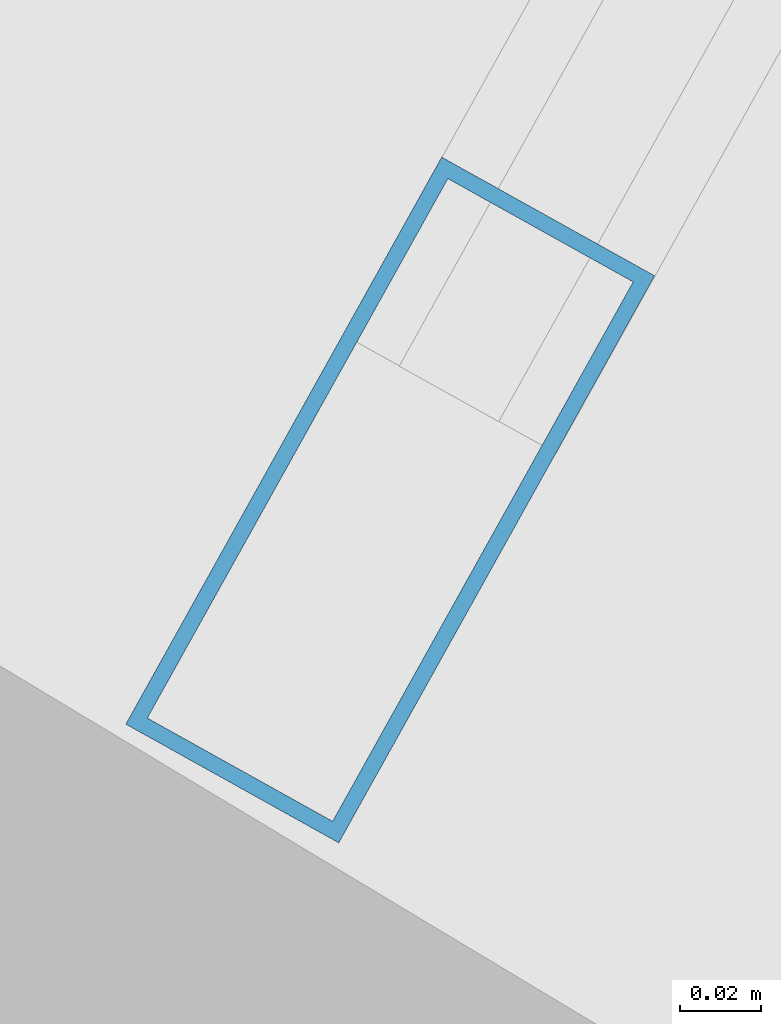
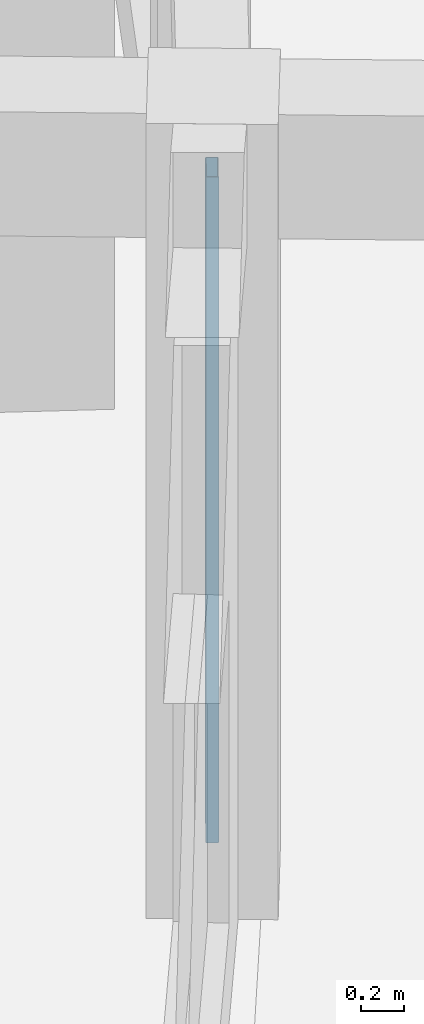
# One storey, part 59 of 132: 1 member, 1 element without a shape of its own.
"""IFC4 building model written with IfcOpenShell, lengths in metres."""

from ifc_helpers import new_model, si_unit, direction, frame, origin, origin_2d, place, context, subcontext, project, spatial, hollow_rectangle, extrude, material, material_profile, profile_set, type_object, element, aggregate, save


model = new_model("IFC4")

# Units and contexts
model_context = context("Model", 3, precision=1e-05, world=origin(), true_north=direction((0.0, 1.0)))
body_context = subcontext(model_context, "Body", "Model", "MODEL_VIEW")
ifc_project = project(units=[si_unit("LENGTHUNIT", "METRE"), si_unit("AREAUNIT", "SQUARE_METRE"), si_unit("VOLUMEUNIT", "CUBIC_METRE"), si_unit("PLANEANGLEUNIT", "RADIAN"), si_unit("MASSUNIT", "GRAM", prefix="KILO")], contexts=[model_context])

# Site, building, storey
site_placement = place(None, origin())
site = spatial("IfcSite", under=ifc_project, at=site_placement, CompositionType="ELEMENT")
building_placement = place(site_placement, origin())
building = spatial("IfcBuilding", under=site, at=building_placement, Name="Tanwirah Colonnade Gardens", CompositionType="ELEMENT")
storey_placement = place(building_placement, origin())
storey = spatial("IfcBuildingStorey", under=building, at=storey_placement, Name="L00", CompositionType="ELEMENT", Elevation=0.0)

# Curtain wall, member
ifc_material_1 = material(Name="Bronze-anodised aluminium and solar-control low-E glass", Category="aluminium")
curtain_wall_type = type_object("IfcCurtainWallType", Name="CW-LOB", PredefinedType="NOTDEFINED", material=ifc_material_1)
curtain_wall_placement = place(storey_placement, origin())
curtain_wall = element("IfcCurtainWall", 1, at=curtain_wall_placement, inside=storey, type_object=curtain_wall_type, Name="Curtain Wall CW-D-L00-OUT-12", PredefinedType="NOTDEFINED")
ifc_material_2 = material(Name="Bronze-anodised aluminium", Category="aluminium")
ifc_material_profile = material_profile(ifc_material_2, hollow_rectangle(XDim=0.06005859375, YDim=0.159912109375, WallThickness=0.00390625, at=origin_2d()), Name="CW-MUL 60x160x4")
ifc_profile_set = profile_set([ifc_material_profile], Name="Bronze-anodised aluminium")
member_type = type_object("IfcMemberType", Name="CWM-60x160", PredefinedType="MULLION", material=ifc_profile_set)
member_placement = place(storey_placement, frame((172.234130859375, 34.170166015625, 0.0), z_axis=(0.0, 0.0, 1.0), x_axis=(-0.873560768318, 0.486715095364, 0.0)))
member = element("IfcMember", 2, at=member_placement, type_object=member_type, Name="CW-LOB mullion 1", PredefinedType="MULLION", context=body_context, shape_type="SweptSolid", body=[
    extrude(hollow_rectangle(XDim=0.06005859375, YDim=0.159912109375, WallThickness=0.00390625, at=origin_2d()), origin(), (0.0, 0.0, 1.0), 3.7548828125),
])
aggregate(curtain_wall, [member])

save(model, "model.ifc")
